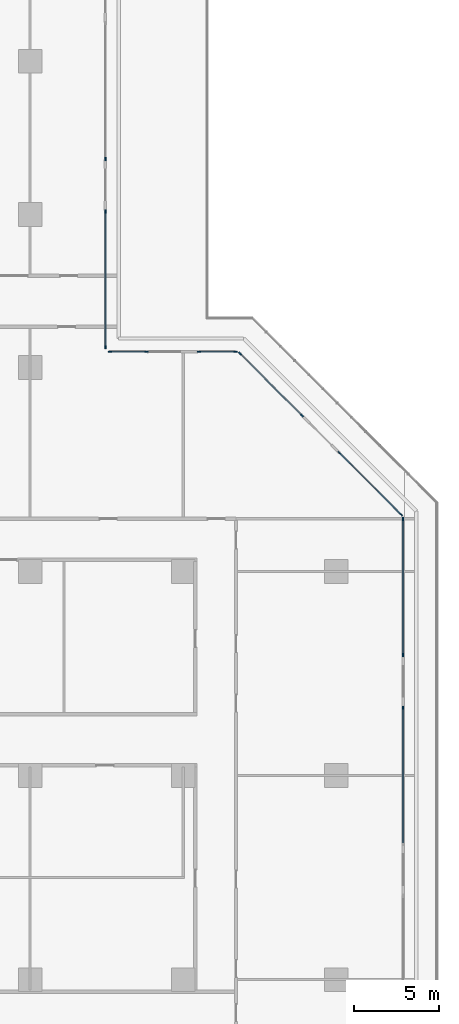
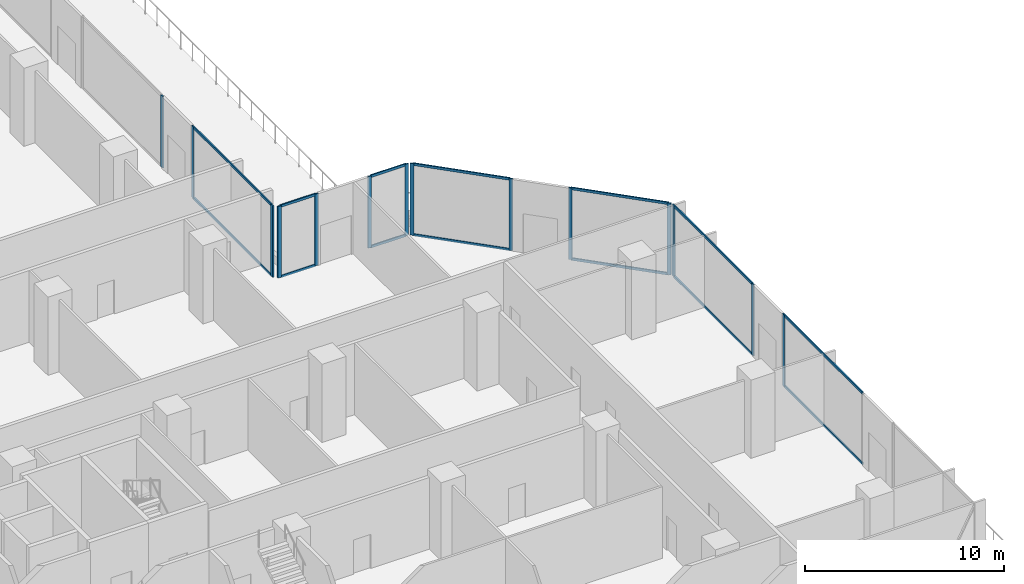
# One storey, part 8 of 31: 28 members, 8 elements without a shape of their own.
"""IFC4 building model written with IfcOpenShell, lengths in metres."""

from ifc_helpers import new_model, si_unit, direction, frame, origin, origin_2d, place, context, subcontext, project, spatial, rectangle, extrude, material, layer, layer_set, material_profile, profile_set, type_object, element, aggregate, save


model = new_model("IFC4")

# Units and contexts
model_context = context("Model", 3, precision=1e-05, world=origin(), true_north=direction((0.0, 1.0)))
body_context = subcontext(model_context, "Body", "Model", "MODEL_VIEW")
ifc_project = project(units=[si_unit("LENGTHUNIT", "METRE"), si_unit("AREAUNIT", "SQUARE_METRE"), si_unit("VOLUMEUNIT", "CUBIC_METRE"), si_unit("PLANEANGLEUNIT", "RADIAN"), si_unit("MASSUNIT", "GRAM", prefix="KILO")], contexts=[model_context])

# Site, building, storey
site_placement = place(None, origin())
site = spatial("IfcSite", under=ifc_project, at=site_placement, CompositionType="ELEMENT")
building_placement = place(site_placement, origin())
building = spatial("IfcBuilding", under=site, at=building_placement, Name="Chenar Terraces", CompositionType="ELEMENT")
storey_placement = place(building_placement, frame((0.0, 0.0, 7.199951171875)))
storey = spatial("IfcBuildingStorey", under=building, at=storey_placement, Name="L01", CompositionType="ELEMENT", Elevation=7.199951171875)

# Curtain wall, member
ifc_material_1 = material(Name="Aluminium framed glazing", Category="aluminium")
ifc_layer = layer(ifc_material_1, 0.14990234375)
ifc_layer_set = layer_set([ifc_layer], Name="Aluminium framed glazing")
curtain_wall_type = type_object("IfcCurtainWallType", Name="School curtain wall", PredefinedType="NOTDEFINED", material=ifc_layer_set)
placement = place(storey_placement, origin())
curtain_wall_1 = element("IfcCurtainWall", 1, at=placement, inside=storey, type_object=curtain_wall_type, Name="School curtain wall", PredefinedType="NOTDEFINED")
ifc_material_2 = material(Name="Aluminium", Category="aluminium")
ifc_material_profile_1 = material_profile(ifc_material_2, rectangle(XDim=0.070068359375, YDim=0.199951171875, at=origin_2d()), Name="School glazing mullion 70 x 200")
ifc_profile_set_1 = profile_set([ifc_material_profile_1], Name="Aluminium")
member_type_1 = type_object("IfcMemberType", Name="School glazing mullion 70 x 200", PredefinedType="MULLION", material=ifc_profile_set_1)
member_1_placement = place(storey_placement, frame((84.925048828125, 15.990234375, 0.0), z_axis=(0.0, 0.0, 1.0), x_axis=(-1.0, 0.0, 0.0)))
member_1 = element("IfcMember", 2, at=member_1_placement, type_object=member_type_1, Name="CW2-08c1 mullion 2", PredefinedType="MULLION", context=body_context, shape_type="SweptSolid", body=[
    extrude(rectangle(XDim=0.070068359375, YDim=0.199951171875, at=origin_2d()), origin(), (0.0, 0.0, 1.0), 4.400146484375),
])

# Curtain wall, members
curtain_wall_2 = element("IfcCurtainWall", 3, at=placement, inside=storey, type_object=curtain_wall_type, Name="School curtain wall", PredefinedType="NOTDEFINED")
member_2_placement = place(storey_placement, frame((84.925048828125, 19.08544921875, 0.0), z_axis=(0.0, 0.0, 1.0), x_axis=(-1.0, 0.0, 0.0)))
member_2 = element("IfcMember", 4, at=member_2_placement, type_object=member_type_1, Name="CW2-08c2 mullion 1", PredefinedType="MULLION", context=body_context, shape_type="SweptSolid", body=[
    extrude(rectangle(XDim=0.070068359375, YDim=0.199951171875, at=origin_2d()), origin(), (0.0, 0.0, 1.0), 4.400146484375),
])
member_3_placement = place(storey_placement, frame((84.925048828125, 27.07861328125, 0.0), z_axis=(0.0, 0.0, 1.0), x_axis=(-1.0, 0.0, 0.0)))
member_3 = element("IfcMember", 5, at=member_3_placement, type_object=member_type_1, Name="CW2-08c2 mullion 2", PredefinedType="MULLION", context=body_context, shape_type="SweptSolid", body=[
    extrude(rectangle(XDim=0.070068359375, YDim=0.199951171875, at=origin_2d()), origin(), (0.0, 0.0, 1.0), 4.400146484375),
])

curtain_wall_3 = element("IfcCurtainWall", 6, at=placement, inside=storey, type_object=curtain_wall_type, Name="School curtain wall", PredefinedType="NOTDEFINED")
member_4_placement = place(storey_placement, frame((84.816162109375, 27.34130859375, 0.0), z_axis=(0.0, 0.0, 1.0), x_axis=(-0.707106781187, -0.707106781187, 0.0)))
member_4 = element("IfcMember", 7, at=member_4_placement, type_object=member_type_1, Name="CW2-09c0 mullion 1", PredefinedType="MULLION", context=body_context, shape_type="SweptSolid", body=[
    extrude(rectangle(XDim=0.070068359375, YDim=0.199951171875, at=origin_2d()), origin(), (0.0, 0.0, 1.0), 4.400146484375),
])
member_5_placement = place(storey_placement, frame((81.1728515625, 30.984375, 0.0), z_axis=(0.0, 0.0, 1.0), x_axis=(-0.707106781187, -0.707106781187, 0.0)))
member_5 = element("IfcMember", 8, at=member_5_placement, type_object=member_type_1, Name="CW2-09c0 mullion 2", PredefinedType="MULLION", context=body_context, shape_type="SweptSolid", body=[
    extrude(rectangle(XDim=0.070068359375, YDim=0.199951171875, at=origin_2d()), origin(), (0.0, 0.0, 1.0), 4.400146484375),
])

curtain_wall_4 = element("IfcCurtainWall", 9, at=placement, inside=storey, type_object=curtain_wall_type, Name="School curtain wall", PredefinedType="NOTDEFINED")
member_6_placement = place(storey_placement, frame((78.984375, 33.1728515625, 0.0), z_axis=(0.0, 0.0, 1.0), x_axis=(-0.707106781187, -0.707106781187, 0.0)))
member_6 = element("IfcMember", 10, at=member_6_placement, type_object=member_type_1, Name="CW2-09c1 mullion 1", PredefinedType="MULLION", context=body_context, shape_type="SweptSolid", body=[
    extrude(rectangle(XDim=0.070068359375, YDim=0.199951171875, at=origin_2d()), origin(), (0.0, 0.0, 1.0), 4.400146484375),
])
member_7_placement = place(storey_placement, frame((75.34130859375, 36.816162109375, 0.0), z_axis=(0.0, 0.0, 1.0), x_axis=(-0.707106781187, -0.707106781187, 0.0)))
member_7 = element("IfcMember", 11, at=member_7_placement, type_object=member_type_1, Name="CW2-09c1 mullion 2", PredefinedType="MULLION", context=body_context, shape_type="SweptSolid", body=[
    extrude(rectangle(XDim=0.070068359375, YDim=0.199951171875, at=origin_2d()), origin(), (0.0, 0.0, 1.0), 4.400146484375),
])

curtain_wall_5 = element("IfcCurtainWall", 12, at=placement, inside=storey, type_object=curtain_wall_type, Name="School curtain wall", PredefinedType="NOTDEFINED")
member_8_placement = place(storey_placement, frame((75.07861328125, 36.925048828125, 0.0), z_axis=(0.0, 0.0, 1.0), x_axis=(0.0, -1.0, 0.0)))
member_8 = element("IfcMember", 13, at=member_8_placement, type_object=member_type_1, Name="CW2-10c0 mullion 1", PredefinedType="MULLION", context=body_context, shape_type="SweptSolid", body=[
    extrude(rectangle(XDim=0.070068359375, YDim=0.199951171875, at=origin_2d()), origin(), (0.0, 0.0, 1.0), 4.400146484375),
])
member_9_placement = place(storey_placement, frame((72.92919921875, 36.925048828125, 0.0), z_axis=(0.0, 0.0, 1.0), x_axis=(0.0, -1.0, 0.0)))
member_9 = element("IfcMember", 14, at=member_9_placement, type_object=member_type_1, Name="CW2-10c0 mullion 2", PredefinedType="MULLION", context=body_context, shape_type="SweptSolid", body=[
    extrude(rectangle(XDim=0.070068359375, YDim=0.199951171875, at=origin_2d()), origin(), (0.0, 0.0, 1.0), 4.400146484375),
])

curtain_wall_6 = element("IfcCurtainWall", 15, at=placement, inside=storey, type_object=curtain_wall_type, Name="School curtain wall", PredefinedType="NOTDEFINED")
member_10_placement = place(storey_placement, frame((69.834228515625, 36.925048828125, 0.0), z_axis=(0.0, 0.0, 1.0), x_axis=(0.0, -1.0, 0.0)))
member_10 = element("IfcMember", 16, at=member_10_placement, type_object=member_type_1, Name="CW2-10c1 mullion 1", PredefinedType="MULLION", context=body_context, shape_type="SweptSolid", body=[
    extrude(rectangle(XDim=0.070068359375, YDim=0.199951171875, at=origin_2d()), origin(), (0.0, 0.0, 1.0), 4.400146484375),
])
member_11_placement = place(storey_placement, frame((67.68505859375, 36.925048828125, 0.0), z_axis=(0.0, 0.0, 1.0), x_axis=(0.0, -1.0, 0.0)))
member_11 = element("IfcMember", 17, at=member_11_placement, type_object=member_type_1, Name="CW2-10c1 mullion 2", PredefinedType="MULLION", context=body_context, shape_type="SweptSolid", body=[
    extrude(rectangle(XDim=0.070068359375, YDim=0.199951171875, at=origin_2d()), origin(), (0.0, 0.0, 1.0), 4.400146484375),
])

curtain_wall_7 = element("IfcCurtainWall", 18, at=placement, inside=storey, type_object=curtain_wall_type, Name="School curtain wall", PredefinedType="NOTDEFINED")
member_12_placement = place(storey_placement, frame((67.425048828125, 37.18505859375, 0.0), z_axis=(0.0, 0.0, 1.0), x_axis=(-1.0, 0.0, 0.0)))
member_12 = element("IfcMember", 19, at=member_12_placement, type_object=member_type_1, Name="CW2-11c0 mullion 1", PredefinedType="MULLION", context=body_context, shape_type="SweptSolid", body=[
    extrude(rectangle(XDim=0.070068359375, YDim=0.199951171875, at=origin_2d()), origin(), (0.0, 0.0, 1.0), 4.400146484375),
])
member_13_placement = place(storey_placement, frame((67.425048828125, 45.169189453125, 0.0), z_axis=(0.0, 0.0, 1.0), x_axis=(-1.0, 0.0, 0.0)))
member_13 = element("IfcMember", 20, at=member_13_placement, type_object=member_type_1, Name="CW2-11c0 mullion 2", PredefinedType="MULLION", context=body_context, shape_type="SweptSolid", body=[
    extrude(rectangle(XDim=0.070068359375, YDim=0.199951171875, at=origin_2d()), origin(), (0.0, 0.0, 1.0), 4.400146484375),
])

# Curtain wall, member
curtain_wall_8 = element("IfcCurtainWall", 21, at=placement, inside=storey, type_object=curtain_wall_type, Name="School curtain wall", PredefinedType="NOTDEFINED")
member_14_placement = place(storey_placement, frame((67.425048828125, 48.26416015625, 0.0), z_axis=(0.0, 0.0, 1.0), x_axis=(-1.0, 0.0, 0.0)))
member_14 = element("IfcMember", 22, at=member_14_placement, type_object=member_type_1, Name="CW2-11c1 mullion 1", PredefinedType="MULLION", context=body_context, shape_type="SweptSolid", body=[
    extrude(rectangle(XDim=0.070068359375, YDim=0.199951171875, at=origin_2d()), origin(), (0.0, 0.0, 1.0), 4.400146484375),
])
aggregate(curtain_wall_8, [member_14])

# Member
ifc_material_3 = material(Name="Aluminium", Category="aluminium")
ifc_material_profile_2 = material_profile(ifc_material_3, rectangle(XDim=0.070068359375, YDim=0.14990234375, at=origin_2d()), Name="School glazing transom 70 x 150")
ifc_profile_set_2 = profile_set([ifc_material_profile_2], Name="Aluminium")
member_type_2 = type_object("IfcMemberType", Name="School glazing transom 70 x 150", PredefinedType="USERDEFINED", material=ifc_profile_set_2)
member_15_placement = place(storey_placement, frame((84.925048828125, 8.044677734375, 0.03515625), z_axis=(0.0, 1.0, 0.0), x_axis=(-1.0, 0.0, 0.0)))
member_15 = element("IfcMember", 23, at=member_15_placement, type_object=member_type_2, Name="CW2-08c1 transom 1.1", ObjectType="TRANSOM", PredefinedType="USERDEFINED", context=body_context, shape_type="SweptSolid", body=[
    extrude(rectangle(XDim=0.070068359375, YDim=0.14990234375, at=origin_2d()), origin(), (0.0, 0.0, 1.0), 7.91064453125),
])

member_16_placement = place(storey_placement, frame((84.925048828125, 8.044677734375, 4.364990234375), z_axis=(0.0, 1.0, 0.0), x_axis=(-1.0, 0.0, 0.0)))
member_16 = element("IfcMember", 24, at=member_16_placement, type_object=member_type_2, Name="CW2-08c1 transom 1.2", ObjectType="TRANSOM", PredefinedType="USERDEFINED", context=body_context, shape_type="SweptSolid", body=[
    extrude(rectangle(XDim=0.070068359375, YDim=0.14990234375, at=origin_2d()), origin(), (0.0, 0.0, 1.0), 7.91064453125),
])

aggregate(curtain_wall_1, [member_1, member_15, member_16])

member_17_placement = place(storey_placement, frame((84.925048828125, 19.120361328125, 0.03515625), z_axis=(0.0, 1.0, 0.0), x_axis=(-1.0, 0.0, 0.0)))
member_17 = element("IfcMember", 25, at=member_17_placement, type_object=member_type_2, Name="CW2-08c2 transom 1.1", ObjectType="TRANSOM", PredefinedType="USERDEFINED", context=body_context, shape_type="SweptSolid", body=[
    extrude(rectangle(XDim=0.070068359375, YDim=0.14990234375, at=origin_2d()), origin(), (0.0, 0.0, 1.0), 7.923095703125),
])

member_18_placement = place(storey_placement, frame((84.925048828125, 19.120361328125, 4.364990234375), z_axis=(0.0, 1.0, 0.0), x_axis=(-1.0, 0.0, 0.0)))
member_18 = element("IfcMember", 26, at=member_18_placement, type_object=member_type_2, Name="CW2-08c2 transom 1.2", ObjectType="TRANSOM", PredefinedType="USERDEFINED", context=body_context, shape_type="SweptSolid", body=[
    extrude(rectangle(XDim=0.070068359375, YDim=0.14990234375, at=origin_2d()), origin(), (0.0, 0.0, 1.0), 7.923095703125),
])

aggregate(curtain_wall_2, [member_2, member_3, member_17, member_18])

member_19_placement = place(storey_placement, frame((84.79150390625, 27.365966796875, 0.03515625), z_axis=(-0.707106781187, 0.707106781187, 0.0), x_axis=(-0.707106781187, -0.707106781187, 0.0)))
member_19 = element("IfcMember", 27, at=member_19_placement, type_object=member_type_2, Name="CW2-09c0 transom 1.1", ObjectType="TRANSOM", PredefinedType="USERDEFINED", context=body_context, shape_type="SweptSolid", body=[
    extrude(rectangle(XDim=0.070068359375, YDim=0.14990234375, at=origin_2d()), origin(), (0.0, 0.0, 1.0), 5.082275390625),
])

member_20_placement = place(storey_placement, frame((84.79150390625, 27.365966796875, 4.364990234375), z_axis=(-0.707106781187, 0.707106781187, 0.0), x_axis=(-0.707106781187, -0.707106781187, 0.0)))
member_20 = element("IfcMember", 28, at=member_20_placement, type_object=member_type_2, Name="CW2-09c0 transom 1.2", ObjectType="TRANSOM", PredefinedType="USERDEFINED", context=body_context, shape_type="SweptSolid", body=[
    extrude(rectangle(XDim=0.070068359375, YDim=0.14990234375, at=origin_2d()), origin(), (0.0, 0.0, 1.0), 5.082275390625),
])

aggregate(curtain_wall_3, [member_4, member_5, member_19, member_20])

member_21_placement = place(storey_placement, frame((78.959716796875, 33.19775390625, 0.03515625), z_axis=(-0.707106781187, 0.707106781187, 0.0), x_axis=(-0.707106781187, -0.707106781187, 0.0)))
member_21 = element("IfcMember", 29, at=member_21_placement, type_object=member_type_2, Name="CW2-09c1 transom 1.1", ObjectType="TRANSOM", PredefinedType="USERDEFINED", context=body_context, shape_type="SweptSolid", body=[
    extrude(rectangle(XDim=0.070068359375, YDim=0.14990234375, at=origin_2d()), origin(), (0.0, 0.0, 1.0), 5.082275390625),
])

member_22_placement = place(storey_placement, frame((78.959716796875, 33.19775390625, 4.364990234375), z_axis=(-0.707106781187, 0.707106781187, 0.0), x_axis=(-0.707106781187, -0.707106781187, 0.0)))
member_22 = element("IfcMember", 30, at=member_22_placement, type_object=member_type_2, Name="CW2-09c1 transom 1.2", ObjectType="TRANSOM", PredefinedType="USERDEFINED", context=body_context, shape_type="SweptSolid", body=[
    extrude(rectangle(XDim=0.070068359375, YDim=0.14990234375, at=origin_2d()), origin(), (0.0, 0.0, 1.0), 5.082275390625),
])

aggregate(curtain_wall_4, [member_6, member_7, member_21, member_22])

member_23_placement = place(storey_placement, frame((75.04345703125, 36.925048828125, 0.03515625), z_axis=(-1.0, 0.0, 0.0), x_axis=(0.0, -1.0, 0.0)))
member_23 = element("IfcMember", 31, at=member_23_placement, type_object=member_type_2, Name="CW2-10c0 transom 1.1", ObjectType="TRANSOM", PredefinedType="USERDEFINED", context=body_context, shape_type="SweptSolid", body=[
    extrude(rectangle(XDim=0.070068359375, YDim=0.14990234375, at=origin_2d()), origin(), (0.0, 0.0, 1.0), 2.0791015625),
])

member_24_placement = place(storey_placement, frame((75.04345703125, 36.925048828125, 4.364990234375), z_axis=(-1.0, 0.0, 0.0), x_axis=(0.0, -1.0, 0.0)))
member_24 = element("IfcMember", 32, at=member_24_placement, type_object=member_type_2, Name="CW2-10c0 transom 1.2", ObjectType="TRANSOM", PredefinedType="USERDEFINED", context=body_context, shape_type="SweptSolid", body=[
    extrude(rectangle(XDim=0.070068359375, YDim=0.14990234375, at=origin_2d()), origin(), (0.0, 0.0, 1.0), 2.0791015625),
])

aggregate(curtain_wall_5, [member_8, member_9, member_23, member_24])

member_25_placement = place(storey_placement, frame((69.79931640625, 36.925048828125, 0.03515625), z_axis=(-1.0, 0.0, 0.0), x_axis=(0.0, -1.0, 0.0)))
member_25 = element("IfcMember", 33, at=member_25_placement, type_object=member_type_2, Name="CW2-10c1 transom 1.1", ObjectType="TRANSOM", PredefinedType="USERDEFINED", context=body_context, shape_type="SweptSolid", body=[
    extrude(rectangle(XDim=0.070068359375, YDim=0.14990234375, at=origin_2d()), origin(), (0.0, 0.0, 1.0), 2.079345703125),
])

member_26_placement = place(storey_placement, frame((69.79931640625, 36.925048828125, 4.364990234375), z_axis=(-1.0, 0.0, 0.0), x_axis=(0.0, -1.0, 0.0)))
member_26 = element("IfcMember", 34, at=member_26_placement, type_object=member_type_2, Name="CW2-10c1 transom 1.2", ObjectType="TRANSOM", PredefinedType="USERDEFINED", context=body_context, shape_type="SweptSolid", body=[
    extrude(rectangle(XDim=0.070068359375, YDim=0.14990234375, at=origin_2d()), origin(), (0.0, 0.0, 1.0), 2.079345703125),
])

aggregate(curtain_wall_6, [member_10, member_11, member_25, member_26])

member_27_placement = place(storey_placement, frame((67.425048828125, 37.219970703125, 0.03515625), z_axis=(0.0, 1.0, 0.0), x_axis=(-1.0, 0.0, 0.0)))
member_27 = element("IfcMember", 35, at=member_27_placement, type_object=member_type_2, Name="CW2-11c0 transom 1.1", ObjectType="TRANSOM", PredefinedType="USERDEFINED", context=body_context, shape_type="SweptSolid", body=[
    extrude(rectangle(XDim=0.070068359375, YDim=0.14990234375, at=origin_2d()), origin(), (0.0, 0.0, 1.0), 7.914306640625),
])

member_28_placement = place(storey_placement, frame((67.425048828125, 37.219970703125, 4.364990234375), z_axis=(0.0, 1.0, 0.0), x_axis=(-1.0, 0.0, 0.0)))
member_28 = element("IfcMember", 36, at=member_28_placement, type_object=member_type_2, Name="CW2-11c0 transom 1.2", ObjectType="TRANSOM", PredefinedType="USERDEFINED", context=body_context, shape_type="SweptSolid", body=[
    extrude(rectangle(XDim=0.070068359375, YDim=0.14990234375, at=origin_2d()), origin(), (0.0, 0.0, 1.0), 7.914306640625),
])

aggregate(curtain_wall_7, [member_12, member_13, member_27, member_28])

save(model, "model.ifc")
